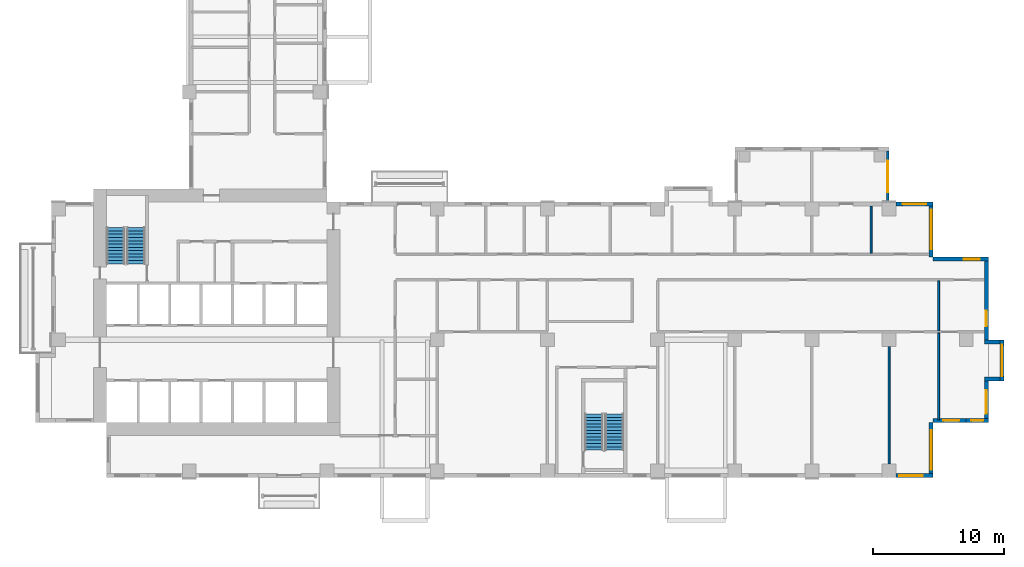
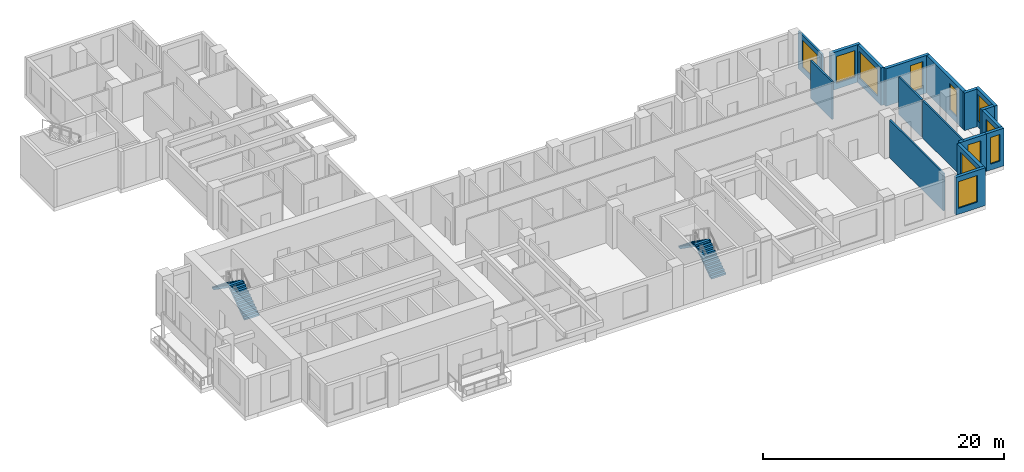
# One storey, part 8 of 14: 17 walls, 11 windows, 4 stair flights, 11 openings, 2 elements without a shape of their own.
"""IFC4 building model written with IfcOpenShell, lengths in metres."""

from ifc_helpers import new_model, si_unit, direction, frame, frame_2d, origin, place, context, subcontext, project, spatial, polyline, rectangle, outline, extrude, source, transform, mapped, material, layer, layer_set, type_object, element, fill, aggregate, save


model = new_model("IFC4")

# Units and contexts
model_context = context("Model", 3, precision=1e-05, world=origin(), true_north=direction((0.0, 1.0)))
body_context = subcontext(model_context, "Body", "Model", "MODEL_VIEW")
ifc_project = project(units=[si_unit("LENGTHUNIT", "METRE"), si_unit("AREAUNIT", "SQUARE_METRE"), si_unit("VOLUMEUNIT", "CUBIC_METRE"), si_unit("PLANEANGLEUNIT", "RADIAN"), si_unit("MASSUNIT", "GRAM", prefix="KILO")], contexts=[model_context])

# Site, building, storey
site_placement = place(None, origin())
site = spatial("IfcSite", under=ifc_project, at=site_placement, CompositionType="ELEMENT")
building_placement = place(site_placement, origin())
building = spatial("IfcBuilding", under=site, at=building_placement, Name="Aurelian Terraces", CompositionType="ELEMENT")
storey_placement = place(building_placement, frame((0.0, 0.0, 128.7)))
storey = spatial("IfcBuildingStorey", under=building, at=storey_placement, Name="L28", CompositionType="ELEMENT", Elevation=128.7)

# Wall, opening, window
ifc_material_1 = material(Name="Terracotta rainscreen cladding", Category="masonry")
ifc_layer_1 = layer(ifc_material_1, 0.3)
ifc_layer_set_1 = layer_set([ifc_layer_1], Name="EW-300")
wall_type_1 = type_object("IfcWallType", Name="EW-300", PredefinedType="STANDARD", material=ifc_layer_set_1)
shared_shape_1 = source(origin(), body_context, "Body", "SweptSolid", [
    extrude(rectangle(XDim=3.15, YDim=0.3, at=frame_2d((1.575, 0.0))), origin(), (0.0, 0.0, 1.0), 3.8),
])
wall_1_placement = place(storey_placement, frame((71.25, 4.2, 0.0), z_axis=(0.0, 0.0, 1.0), x_axis=(0.0, 1.0, 0.0)))
wall_1 = element("IfcWall", 1, at=wall_1_placement, inside=storey, type_object=wall_type_1, Name="External wall L28 F04.15", PredefinedType="STANDARD", context=body_context, shape_type="MappedRepresentation", body=[
    mapped(shared_shape_1, transform((0.0, 0.0, 0.0), scale=1.0)),
])
shared_shape_2 = source(origin(), body_context, "Body", "SweptSolid", [
    extrude(rectangle(XDim=1.8, YDim=2.7, at=frame_2d((0.9, 1.35))), frame((0.0, 0.16, 0.0), z_axis=(0.0, -1.0, 0.0), x_axis=(1.0, 0.0, 0.0)), (0.0, 0.0, 1.0), 0.32),
])
opening_1_placement = place(wall_1_placement, frame((0.675, 0.0, 0.6)))
opening_1 = element("IfcOpeningElement", 2, at=opening_1_placement, cuts=wall_1, Name="Opening W1827", PredefinedType="OPENING", context=body_context, shape_type="MappedRepresentation", body=[
    mapped(shared_shape_2, transform((0.0, 0.0, 0.0), scale=1.0)),
])
ifc_material_2 = material(Name="Clear glazing", Category="glass")
window_type_1 = type_object("IfcWindowType", Name="W-1800x2700", PartitioningType="SINGLE_PANEL", PredefinedType="WINDOW", material=ifc_material_2)
shared_shape_3 = source(origin(), body_context, "Body", "SweptSolid", [
    extrude(rectangle(XDim=1.8, YDim=2.7, at=frame_2d((0.9, 1.35))), frame((0.0, 0.03, 0.0), z_axis=(0.0, -1.0, 0.0), x_axis=(1.0, 0.0, 0.0)), (0.0, 0.0, 1.0), 0.06),
])
window_1_placement = place(opening_1_placement, origin())
window_1 = element("IfcWindow", 3, at=window_1_placement, inside=storey, type_object=window_type_1, Name="Window L28 L28-F04-15-0", OverallHeight=2.7, OverallWidth=1.8, PartitioningType="SINGLE_PANEL", PredefinedType="WINDOW", context=body_context, shape_type="MappedRepresentation", body=[
    mapped(shared_shape_3, transform((0.0, 0.0, 0.0), scale=1.0)),
])
fill(opening_1, window_1)

wall_2_placement = place(storey_placement, frame((72.45, 7.35, 0.0), z_axis=(0.0, 0.0, 1.0), x_axis=(0.0, 1.0, 0.0)))
wall_2 = element("IfcWall", 4, at=wall_2_placement, inside=storey, type_object=wall_type_1, Name="Bay wall L28 F04.16", PredefinedType="STANDARD", context=body_context, shape_type="MappedRepresentation", body=[
    mapped(shared_shape_1, transform((0.0, 0.0, 0.0), scale=1.0)),
])
shared_shape_4 = source(origin(), body_context, "Body", "SweptSolid", [
    extrude(rectangle(XDim=2.4, YDim=2.7, at=frame_2d((1.2, 1.35))), frame((0.0, 0.16, 0.0), z_axis=(0.0, -1.0, 0.0), x_axis=(1.0, 0.0, 0.0)), (0.0, 0.0, 1.0), 0.32),
])
opening_2_placement = place(wall_2_placement, frame((0.375, 0.0, 0.6)))
opening_2 = element("IfcOpeningElement", 5, at=opening_2_placement, cuts=wall_2, Name="Opening W2427", PredefinedType="OPENING", context=body_context, shape_type="MappedRepresentation", body=[
    mapped(shared_shape_4, transform((0.0, 0.0, 0.0), scale=1.0)),
])
window_type_2 = type_object("IfcWindowType", Name="W-2400x2700", PartitioningType="SINGLE_PANEL", PredefinedType="WINDOW", material=ifc_material_2)
shared_shape_5 = source(origin(), body_context, "Body", "SweptSolid", [
    extrude(rectangle(XDim=2.4, YDim=2.7, at=frame_2d((1.2, 1.35))), frame((0.0, 0.03, 0.0), z_axis=(0.0, -1.0, 0.0), x_axis=(1.0, 0.0, 0.0)), (0.0, 0.0, 1.0), 0.06),
])
window_2_placement = place(opening_2_placement, origin())
window_2 = element("IfcWindow", 6, at=window_2_placement, inside=storey, type_object=window_type_2, Name="Window L28 L28-F04-16-0", OverallHeight=2.7, OverallWidth=2.4, PartitioningType="SINGLE_PANEL", PredefinedType="WINDOW", context=body_context, shape_type="MappedRepresentation", body=[
    mapped(shared_shape_5, transform((0.0, 0.0, 0.0), scale=1.0)),
])
fill(opening_2, window_2)

shared_shape_6 = source(origin(), body_context, "Body", "SweptSolid", [
    extrude(rectangle(XDim=4.2, YDim=0.3, at=frame_2d((2.1, 0.0))), origin(), (0.0, 0.0, 1.0), 3.8),
])
wall_3_placement = place(storey_placement, frame((67.05, 0.0, 0.0), z_axis=(0.0, 0.0, 1.0), x_axis=(0.0, 1.0, 0.0)))
wall_3 = element("IfcWall", 7, at=wall_3_placement, inside=storey, type_object=wall_type_1, Name="External wall L28 F02.12", PredefinedType="STANDARD", context=body_context, shape_type="MappedRepresentation", body=[
    mapped(shared_shape_6, transform((0.0, 0.0, 0.0), scale=1.0)),
])
shared_shape_7 = source(origin(), body_context, "Body", "SweptSolid", [
    extrude(rectangle(XDim=3.0, YDim=2.7, at=frame_2d((1.5, 1.35))), frame((0.0, 0.16, 0.0), z_axis=(0.0, -1.0, 0.0), x_axis=(1.0, 0.0, 0.0)), (0.0, 0.0, 1.0), 0.32),
])
opening_3_placement = place(wall_3_placement, frame((0.6, 0.0, 0.6)))
opening_3 = element("IfcOpeningElement", 8, at=opening_3_placement, cuts=wall_3, Name="Opening W3027", PredefinedType="OPENING", context=body_context, shape_type="MappedRepresentation", body=[
    mapped(shared_shape_7, transform((0.0, 0.0, 0.0), scale=1.0)),
])
window_type_3 = type_object("IfcWindowType", Name="W-3000x2700", PartitioningType="SINGLE_PANEL", PredefinedType="WINDOW", material=ifc_material_2)
shared_shape_8 = source(origin(), body_context, "Body", "SweptSolid", [
    extrude(rectangle(XDim=3.0, YDim=2.7, at=frame_2d((1.5, 1.35))), frame((0.0, 0.03, 0.0), z_axis=(0.0, -1.0, 0.0), x_axis=(1.0, 0.0, 0.0)), (0.0, 0.0, 1.0), 0.06),
])
window_3_placement = place(opening_3_placement, origin())
window_3 = element("IfcWindow", 9, at=window_3_placement, inside=storey, type_object=window_type_3, Name="Window L28 L28-F02-12-0", OverallHeight=2.7, OverallWidth=3.0, PartitioningType="SINGLE_PANEL", PredefinedType="WINDOW", context=body_context, shape_type="MappedRepresentation", body=[
    mapped(shared_shape_8, transform((0.0, 0.0, 0.0), scale=1.0)),
])
fill(opening_3, window_3)

wall_4_placement = place(storey_placement, frame((71.4, 16.65, 0.0), z_axis=(0.0, 0.0, 1.0), x_axis=(-1.0, 0.0, 0.0)))
wall_4 = element("IfcWall", 10, at=wall_4_placement, inside=storey, type_object=wall_type_1, Name="External wall L28 F05.18", PredefinedType="STANDARD", context=body_context, shape_type="MappedRepresentation", body=[
    mapped(shared_shape_6, transform((0.0, 0.0, 0.0), scale=1.0)),
])
shared_shape_9 = source(origin(), body_context, "Body", "SweptSolid", [
    extrude(rectangle(XDim=1.2, YDim=2.7, at=frame_2d((0.6, 1.35))), frame((0.0, 0.16, 0.0), z_axis=(0.0, -1.0, 0.0), x_axis=(1.0, 0.0, 0.0)), (0.0, 0.0, 1.0), 0.32),
])
opening_4_placement = place(wall_4_placement, frame((0.66, 0.0, 0.6)))
opening_4 = element("IfcOpeningElement", 11, at=opening_4_placement, cuts=wall_4, Name="Opening W1227", PredefinedType="OPENING", context=body_context, shape_type="MappedRepresentation", body=[
    mapped(shared_shape_9, transform((0.0, 0.0, 0.0), scale=1.0)),
])
window_type_4 = type_object("IfcWindowType", Name="W-1200x2700", PartitioningType="SINGLE_PANEL", PredefinedType="WINDOW", material=ifc_material_2)
shared_shape_10 = source(origin(), body_context, "Body", "SweptSolid", [
    extrude(rectangle(XDim=1.2, YDim=2.7, at=frame_2d((0.6, 1.35))), frame((0.0, 0.03, 0.0), z_axis=(0.0, -1.0, 0.0), x_axis=(1.0, 0.0, 0.0)), (0.0, 0.0, 1.0), 0.06),
])
window_4_placement = place(opening_4_placement, origin())
window_4 = element("IfcWindow", 12, at=window_4_placement, inside=storey, type_object=window_type_4, Name="Window L28 L28-F05-18-0", OverallHeight=2.7, OverallWidth=1.2, PartitioningType="SINGLE_PANEL", PredefinedType="WINDOW", context=body_context, shape_type="MappedRepresentation", body=[
    mapped(shared_shape_10, transform((0.0, 0.0, 0.0), scale=1.0)),
])
fill(opening_4, window_4)

wall_5_placement = place(storey_placement, frame((67.05, 16.8, 0.0), z_axis=(0.0, 0.0, 1.0), x_axis=(0.0, 1.0, 0.0)))
wall_5 = element("IfcWall", 13, at=wall_5_placement, inside=storey, type_object=wall_type_1, Name="External wall L28 F06.19", PredefinedType="STANDARD", context=body_context, shape_type="MappedRepresentation", body=[
    mapped(shared_shape_6, transform((0.0, 0.0, 0.0), scale=1.0)),
])
opening_5_placement = place(wall_5_placement, frame((0.6, 0.0, 0.6)))
opening_5 = element("IfcOpeningElement", 14, at=opening_5_placement, cuts=wall_5, Name="Opening W3027", PredefinedType="OPENING", context=body_context, shape_type="MappedRepresentation", body=[
    mapped(shared_shape_7, transform((0.0, 0.0, 0.0), scale=1.0)),
])
window_5_placement = place(opening_5_placement, origin())
window_5 = element("IfcWindow", 15, at=window_5_placement, inside=storey, type_object=window_type_3, Name="Window L28 L28-F06-19-0", OverallHeight=2.7, OverallWidth=3.0, PartitioningType="SINGLE_PANEL", PredefinedType="WINDOW", context=body_context, shape_type="MappedRepresentation", body=[
    mapped(shared_shape_8, transform((0.0, 0.0, 0.0), scale=1.0)),
])
fill(opening_5, window_5)

# Walls
shared_shape_11 = source(origin(), body_context, "Body", "SweptSolid", [
    extrude(rectangle(XDim=1.2, YDim=0.3, at=frame_2d((0.6, 0.0))), origin(), (0.0, 0.0, 1.0), 3.8),
])
for number, where, z_axis, x_axis, name in (
    (16, (71.1, 7.5, 0.0), (0.0, 0.0, 1.0), (1.0, 0.0, 0.0), "Bay return L28 F04.16.1"),
    (17, (71.1, 10.35, 0.0), (0.0, 0.0, 1.0), (1.0, 0.0, 0.0), "Bay return L28 F04.16.2"),
):
    element("IfcWall", number, at=place(storey_placement, frame(where, z_axis=z_axis, x_axis=x_axis)), inside=storey, type_object=wall_type_1, Name=name, PredefinedType="STANDARD", context=body_context, shape_type="MappedRepresentation", body=[
        mapped(shared_shape_11, transform((0.0, 0.0, 0.0), scale=1.0)),
    ])

# Wall, opening, window
shared_shape_12 = source(origin(), body_context, "Body", "SweptSolid", [
    extrude(rectangle(XDim=2.52, YDim=0.3, at=frame_2d((1.26, 0.0))), origin(), (0.0, 0.0, 1.0), 3.8),
])
wall_6_placement = place(storey_placement, frame((67.2, 4.35, 0.0), z_axis=(0.0, 0.0, 1.0), x_axis=(1.0, 0.0, 0.0)))
wall_6 = element("IfcWall", 18, at=wall_6_placement, inside=storey, type_object=wall_type_1, Name="External wall L28 F03.13", PredefinedType="STANDARD", context=body_context, shape_type="MappedRepresentation", body=[
    mapped(shared_shape_12, transform((0.0, 0.0, 0.0), scale=1.0)),
])
opening_6_placement = place(wall_6_placement, frame((0.7775, 0.0, 0.6)))
opening_6 = element("IfcOpeningElement", 19, at=opening_6_placement, cuts=wall_6, Name="Opening W1227", PredefinedType="OPENING", context=body_context, shape_type="MappedRepresentation", body=[
    mapped(shared_shape_9, transform((0.0, 0.0, 0.0), scale=1.0)),
])
window_6_placement = place(opening_6_placement, origin())
window_6 = element("IfcWindow", 20, at=window_6_placement, inside=storey, type_object=window_type_4, Name="Window L28 L28-F03-13-P0", OverallHeight=2.7, OverallWidth=1.2, PartitioningType="SINGLE_PANEL", PredefinedType="WINDOW", context=body_context, shape_type="MappedRepresentation", body=[
    mapped(shared_shape_10, transform((0.0, 0.0, 0.0), scale=1.0)),
])
fill(opening_6, window_6)

shared_shape_13 = source(origin(), body_context, "Body", "SweptSolid", [
    extrude(rectangle(XDim=1.68, YDim=0.3, at=frame_2d((0.84, 0.0))), origin(), (0.0, 0.0, 1.0), 3.8),
])
wall_7_placement = place(storey_placement, frame((69.72, 4.35, 0.0), z_axis=(0.0, 0.0, 1.0), x_axis=(1.0, 0.0, 0.0)))
wall_7 = element("IfcWall", 21, at=wall_7_placement, inside=storey, type_object=wall_type_1, Name="External wall L28 F03.14", PredefinedType="STANDARD", context=body_context, shape_type="MappedRepresentation", body=[
    mapped(shared_shape_13, transform((0.0, 0.0, 0.0), scale=1.0)),
])
shared_shape_14 = source(origin(), body_context, "Body", "SweptSolid", [
    extrude(rectangle(XDim=0.9, YDim=2.7, at=frame_2d((0.45, 1.35))), frame((0.0, 0.16, 0.0), z_axis=(0.0, -1.0, 0.0), x_axis=(1.0, 0.0, 0.0)), (0.0, 0.0, 1.0), 0.32),
])
opening_7_placement = place(wall_7_placement, frame((0.39, 0.0, 0.6)))
opening_7 = element("IfcOpeningElement", 22, at=opening_7_placement, cuts=wall_7, Name="Opening W0927", PredefinedType="OPENING", context=body_context, shape_type="MappedRepresentation", body=[
    mapped(shared_shape_14, transform((0.0, 0.0, 0.0), scale=1.0)),
])
window_type_5 = type_object("IfcWindowType", Name="W-900x2700", PartitioningType="SINGLE_PANEL", PredefinedType="WINDOW", material=ifc_material_2)
shared_shape_15 = source(origin(), body_context, "Body", "SweptSolid", [
    extrude(rectangle(XDim=0.9, YDim=2.7, at=frame_2d((0.45, 1.35))), frame((0.0, 0.03, 0.0), z_axis=(0.0, -1.0, 0.0), x_axis=(1.0, 0.0, 0.0)), (0.0, 0.0, 1.0), 0.06),
])
window_7_placement = place(opening_7_placement, origin())
window_7 = element("IfcWindow", 23, at=window_7_placement, inside=storey, type_object=window_type_5, Name="Window L28 L28-F03-14-P0", OverallHeight=2.7, OverallWidth=0.9, PartitioningType="SINGLE_PANEL", PredefinedType="WINDOW", context=body_context, shape_type="MappedRepresentation", body=[
    mapped(shared_shape_15, transform((0.0, 0.0, 0.0), scale=1.0)),
])
fill(opening_7, window_7)

shared_shape_16 = source(origin(), body_context, "Body", "SweptSolid", [
    extrude(rectangle(XDim=6.3, YDim=0.3, at=frame_2d((3.15, 0.0))), origin(), (0.0, 0.0, 1.0), 3.8),
])
wall_8_placement = place(storey_placement, frame((71.25, 10.5, 0.0), z_axis=(0.0, 0.0, 1.0), x_axis=(0.0, 1.0, 0.0)))
wall_8 = element("IfcWall", 24, at=wall_8_placement, inside=storey, type_object=wall_type_1, Name="External wall L28 F04.17", PredefinedType="STANDARD", context=body_context, shape_type="MappedRepresentation", body=[
    mapped(shared_shape_16, transform((0.0, 0.0, 0.0), scale=1.0)),
])
opening_8_placement = place(wall_8_placement, frame((1.025, 0.0, 0.6)))
opening_8 = element("IfcOpeningElement", 25, at=opening_8_placement, cuts=wall_8, Name="Opening W1227", PredefinedType="OPENING", context=body_context, shape_type="MappedRepresentation", body=[
    mapped(shared_shape_9, transform((0.0, 0.0, 0.0), scale=1.0)),
])
window_8_placement = place(opening_8_placement, origin())
window_8 = element("IfcWindow", 26, at=window_8_placement, inside=storey, type_object=window_type_4, Name="Window L28 L28-F04-17-0", OverallHeight=2.7, OverallWidth=1.2, PartitioningType="SINGLE_PANEL", PredefinedType="WINDOW", context=body_context, shape_type="MappedRepresentation", body=[
    mapped(shared_shape_10, transform((0.0, 0.0, 0.0), scale=1.0)),
])
fill(opening_8, window_8)

ifc_material_3 = material(Name="Concrete fc' 40 MPa", Category="concrete")
ifc_layer_2 = layer(ifc_material_3, 0.2)
ifc_layer_set_2 = layer_set([ifc_layer_2], Name="BOX BEARING WALL 200")
wall_type_2 = type_object("IfcWallType", Name="BOX BEARING WALL 200", PredefinedType="SOLIDWALL", material=ifc_layer_set_2)
shared_shape_17 = source(origin(), body_context, "Body", "SweptSolid", [
    extrude(rectangle(XDim=3.9, YDim=0.2, at=frame_2d((1.95, 0.0))), origin(), (0.0, 0.0, 1.0), 3.79),
])
wall_9_placement = place(storey_placement, frame((63.74, 21.0, 0.0), z_axis=(0.0, 0.0, 1.0), x_axis=(0.0, 1.0, 0.0)))
wall_9 = element("IfcWall", 27, at=wall_9_placement, inside=storey, type_object=wall_type_2, Name="Box return L28 K02.1", PredefinedType="SOLIDWALL", context=body_context, shape_type="MappedRepresentation", body=[
    mapped(shared_shape_17, transform((0.0, 0.0, 0.0), scale=1.0)),
])
shared_shape_18 = source(origin(), body_context, "Body", "SweptSolid", [
    extrude(rectangle(XDim=2.4, YDim=2.7, at=frame_2d((1.2, 1.35))), frame((0.0, 0.11, 0.0), z_axis=(0.0, -1.0, 0.0), x_axis=(1.0, 0.0, 0.0)), (0.0, 0.0, 1.0), 0.22),
])
opening_9_placement = place(wall_9_placement, frame((0.75, 0.0, 0.6)))
opening_9 = element("IfcOpeningElement", 28, at=opening_9_placement, cuts=wall_9, Name="Opening W2427", PredefinedType="OPENING", context=body_context, shape_type="MappedRepresentation", body=[
    mapped(shared_shape_18, transform((0.0, 0.0, 0.0), scale=1.0)),
])
window_9_placement = place(opening_9_placement, origin())
window_9 = element("IfcWindow", 29, at=window_9_placement, inside=storey, type_object=window_type_2, Name="Window L28 K02-S1", OverallHeight=2.7, OverallWidth=2.4, PartitioningType="SINGLE_PANEL", PredefinedType="WINDOW", context=body_context, shape_type="MappedRepresentation", body=[
    mapped(shared_shape_5, transform((0.0, 0.0, 0.0), scale=1.0)),
])
fill(opening_9, window_9)

shared_shape_19 = source(origin(), body_context, "Body", "SweptSolid", [
    extrude(rectangle(XDim=2.835, YDim=0.3, at=frame_2d((1.4175, 0.0))), origin(), (0.0, 0.0, 1.0), 3.8),
])
wall_10_placement = place(storey_placement, frame((64.365, 0.15, 0.0), z_axis=(0.0, 0.0, 1.0), x_axis=(1.0, 0.0, 0.0)))
wall_10 = element("IfcWall", 30, at=wall_10_placement, inside=storey, type_object=wall_type_1, Name="External wall L28 F01.11", PredefinedType="STANDARD", context=body_context, shape_type="MappedRepresentation", body=[
    mapped(shared_shape_19, transform((0.0, 0.0, 0.0), scale=1.0)),
])
opening_10_placement = place(wall_10_placement, frame((0.255, 0.0, 0.6)))
opening_10 = element("IfcOpeningElement", 31, at=opening_10_placement, cuts=wall_10, Name="Opening W1827", PredefinedType="OPENING", context=body_context, shape_type="MappedRepresentation", body=[
    mapped(shared_shape_2, transform((0.0, 0.0, 0.0), scale=1.0)),
])
window_10_placement = place(opening_10_placement, origin())
window_10 = element("IfcWindow", 32, at=window_10_placement, inside=storey, type_object=window_type_1, Name="Window L28 L28-F01-11-0", OverallHeight=2.7, OverallWidth=1.8, PartitioningType="SINGLE_PANEL", PredefinedType="WINDOW", context=body_context, shape_type="MappedRepresentation", body=[
    mapped(shared_shape_3, transform((0.0, 0.0, 0.0), scale=1.0)),
])
fill(opening_10, window_10)

wall_11_placement = place(storey_placement, frame((67.2, 20.85, 0.0), z_axis=(0.0, 0.0, 1.0), x_axis=(-1.0, 0.0, 0.0)))
wall_11 = element("IfcWall", 33, at=wall_11_placement, inside=storey, type_object=wall_type_1, Name="External wall L28 F07.20", PredefinedType="STANDARD", context=body_context, shape_type="MappedRepresentation", body=[
    mapped(shared_shape_19, transform((0.0, 0.0, 0.0), scale=1.0)),
])
opening_11_placement = place(wall_11_placement, frame((0.5175, 0.0, 0.6)))
opening_11 = element("IfcOpeningElement", 34, at=opening_11_placement, cuts=wall_11, Name="Opening W1827", PredefinedType="OPENING", context=body_context, shape_type="MappedRepresentation", body=[
    mapped(shared_shape_2, transform((0.0, 0.0, 0.0), scale=1.0)),
])
window_11_placement = place(opening_11_placement, origin())
window_11 = element("IfcWindow", 35, at=window_11_placement, inside=storey, type_object=window_type_1, Name="Window L28 L28-F07-20-P0", OverallHeight=2.7, OverallWidth=1.8, PartitioningType="SINGLE_PANEL", PredefinedType="WINDOW", context=body_context, shape_type="MappedRepresentation", body=[
    mapped(shared_shape_3, transform((0.0, 0.0, 0.0), scale=1.0)),
])
fill(opening_11, window_11)

# Walls
ifc_material_4 = material(Name="Gypsum board on steel studs", Category="steel")
ifc_layer_3 = layer(ifc_material_4, 0.15)
ifc_layer_set_3 = layer_set([ifc_layer_3], Name="Partition 150")
wall_type_3 = type_object("IfcWallType", Name="Partition 150", PredefinedType="PARTITIONING", material=ifc_layer_set_3)
shared_shape_20 = source(origin(), body_context, "Body", "SweptSolid", [
    extrude(rectangle(XDim=3.6, YDim=0.15, at=frame_2d((1.8, 0.0))), origin(), (0.0, 0.0, 1.0), 3.8),
])
wall_12_placement = place(storey_placement, frame((62.4675, 20.7, 0.0), z_axis=(0.0, 0.0, 1.0), x_axis=(0.0, -1.0, 0.0)))
element("IfcWall", 36, at=wall_12_placement, inside=storey, type_object=wall_type_3, Name="Partition", PredefinedType="PARTITIONING", context=body_context, shape_type="MappedRepresentation", body=[
    mapped(shared_shape_20, transform((0.0, 0.0, 0.0), scale=1.0)),
])
shared_shape_21 = source(origin(), body_context, "Body", "SweptSolid", [
    extrude(rectangle(XDim=3.825, YDim=0.15, at=frame_2d((1.9125, 0.0))), origin(), (0.0, 0.0, 1.0), 3.8),
])
wall_13_placement = place(storey_placement, frame((67.62, 11.175, 0.0), z_axis=(0.0, 0.0, 1.0), x_axis=(0.0, 1.0, 0.0)))
element("IfcWall", 37, at=wall_13_placement, inside=storey, type_object=wall_type_3, Name="Partition", PredefinedType="PARTITIONING", context=body_context, shape_type="MappedRepresentation", body=[
    mapped(shared_shape_21, transform((0.0, 0.0, 0.0), scale=1.0)),
])
shared_shape_22 = source(origin(), body_context, "Body", "SweptSolid", [
    extrude(rectangle(XDim=8.927, YDim=0.15, at=frame_2d((4.4635, 0.0))), origin(), (0.0, 0.0, 1.0), 3.8),
])
wall_14_placement = place(storey_placement, frame((63.84, 1.049, 0.0), z_axis=(0.0, 0.0, 1.0), x_axis=(0.0, 1.0, 0.0)))
element("IfcWall", 38, at=wall_14_placement, inside=storey, type_object=wall_type_3, Name="Partition", PredefinedType="PARTITIONING", context=body_context, shape_type="MappedRepresentation", body=[
    mapped(shared_shape_22, transform((0.0, 0.0, 0.0), scale=1.0)),
])
shared_shape_23 = source(origin(), body_context, "Body", "SweptSolid", [
    extrude(rectangle(XDim=6.62, YDim=0.15, at=frame_2d((3.31, 0.0))), origin(), (0.0, 0.0, 1.0), 3.8),
])
wall_15_placement = place(storey_placement, frame((67.62, 4.405, 0.0), z_axis=(0.0, 0.0, 1.0), x_axis=(0.0, 1.0, 0.0)))
element("IfcWall", 39, at=wall_15_placement, inside=storey, type_object=wall_type_3, Name="Partition", PredefinedType="PARTITIONING", context=body_context, shape_type="MappedRepresentation", body=[
    mapped(shared_shape_23, transform((0.0, 0.0, 0.0), scale=1.0)),
])

# Stair, stair flights
stair_type = type_object("IfcStairType", Name="Stair 1400", PredefinedType="HALF_TURN_STAIR", material=ifc_material_3)
stair_1_placement = place(storey_placement, origin())
stair_1 = element("IfcStair", 40, at=stair_1_placement, inside=storey, type_object=stair_type, Name="L28 S1", PredefinedType="HALF_TURN_STAIR")
stair_flight_type = type_object("IfcStairFlightType", Name="Stair flight 1400", PredefinedType="STRAIGHT", material=ifc_material_3)
shared_shape_24 = source(origin(), body_context, "Body", "SweptSolid", [
    extrude(outline(polyline([(0.0, 0.0), (0.0, 0.175), (0.25, 0.175), (0.25, 0.35), (0.5, 0.35), (0.5, 0.525), (0.75, 0.525), (0.75, 0.7), (1.0, 0.7), (1.0, 0.875), (1.25, 0.875), (1.25, 1.05), (1.5, 1.05), (1.5, 1.225), (1.75, 1.225), (1.75, 1.4), (2.0, 1.4), (2.0, 1.575), (2.25, 1.575), (2.25, 1.75), (2.5, 1.75), (2.5, 1.925), (2.75, 1.925), (2.75, 2.1), (2.75, 1.7419), (0.2616, 0.0), (0.0, 0.0)])), frame((0.0, 0.7, 0.0), z_axis=(0.0, -1.0, 0.0), x_axis=(1.0, 0.0, 0.0)), (0.0, 0.0, 1.0), 1.4),
])
stair_flight_1_placement = place(storey_placement, frame((6.45, 16.3, 2e-08), z_axis=(0.0, 0.0, 1.0), x_axis=(0.0, 1.0, 0.0)))
stair_flight_1 = element("IfcStairFlight", 41, at=stair_flight_1_placement, type_object=stair_flight_type, Name="S1 flight 1", NumberOfRisers=12, NumberOfTreads=11, PredefinedType="STRAIGHT", RiserHeight=0.175, TreadLength=0.25, context=body_context, shape_type="MappedRepresentation", body=[
    mapped(shared_shape_24, transform((0.0, 0.0, 0.0), scale=1.0)),
])
stair_flight_2_placement = place(storey_placement, frame((4.9, 19.05, 2.1000000200000226), z_axis=(0.0, 0.0, 1.0), x_axis=(0.0, -1.0, 0.0)))
stair_flight_2 = element("IfcStairFlight", 42, at=stair_flight_2_placement, type_object=stair_flight_type, Name="S1 flight 2", NumberOfRisers=12, NumberOfTreads=11, PredefinedType="STRAIGHT", RiserHeight=0.175, TreadLength=0.25, context=body_context, shape_type="MappedRepresentation", body=[
    mapped(shared_shape_24, transform((0.0, 0.0, 0.0), scale=1.0)),
])
aggregate(stair_1, [stair_flight_1, stair_flight_2])

stair_2_placement = place(storey_placement, origin())
stair_2 = element("IfcStair", 43, at=stair_2_placement, inside=storey, type_object=stair_type, Name="L28 S2", PredefinedType="HALF_TURN_STAIR")
stair_flight_3_placement = place(storey_placement, frame((42.9, 2.1, 2e-08), z_axis=(0.0, 0.0, 1.0), x_axis=(0.0, 1.0, 0.0)))
stair_flight_3 = element("IfcStairFlight", 44, at=stair_flight_3_placement, type_object=stair_flight_type, Name="S2 flight 1", NumberOfRisers=12, NumberOfTreads=11, PredefinedType="STRAIGHT", RiserHeight=0.175, TreadLength=0.25, context=body_context, shape_type="MappedRepresentation", body=[
    mapped(shared_shape_24, transform((0.0, 0.0, 0.0), scale=1.0)),
])
stair_flight_4_placement = place(storey_placement, frame((41.35, 4.85, 2.1000000200000226), z_axis=(0.0, 0.0, 1.0), x_axis=(0.0, -1.0, 0.0)))
stair_flight_4 = element("IfcStairFlight", 45, at=stair_flight_4_placement, type_object=stair_flight_type, Name="S2 flight 2", NumberOfRisers=12, NumberOfTreads=11, PredefinedType="STRAIGHT", RiserHeight=0.175, TreadLength=0.25, context=body_context, shape_type="MappedRepresentation", body=[
    mapped(shared_shape_24, transform((0.0, 0.0, 0.0), scale=1.0)),
])
aggregate(stair_2, [stair_flight_3, stair_flight_4])

save(model, "model.ifc")
